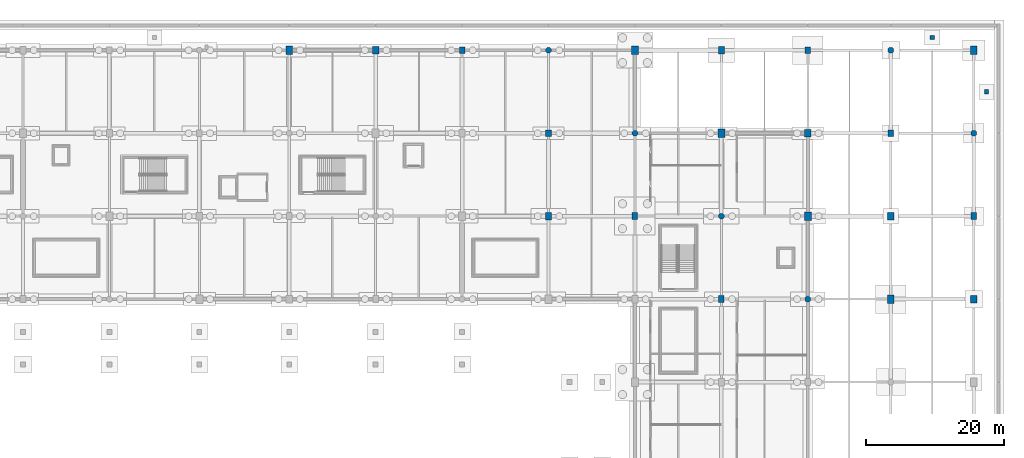
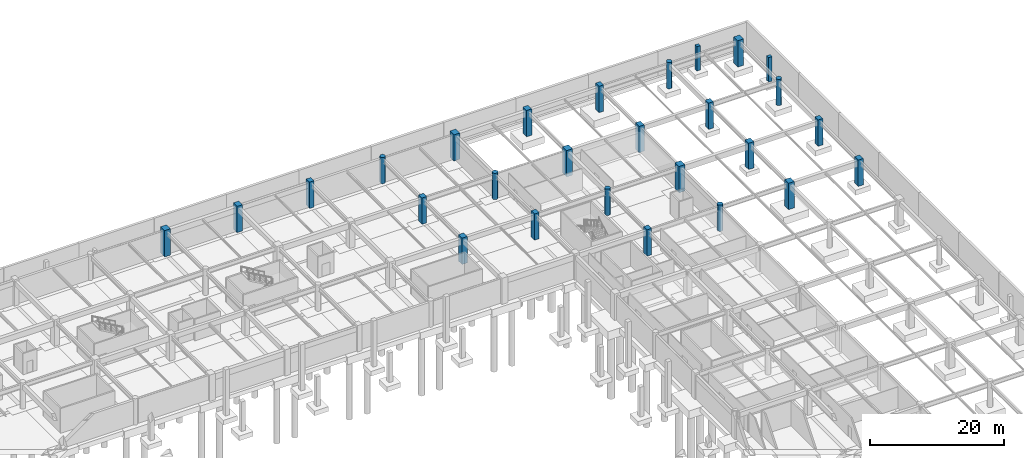
# One storey, part 15 of 56: 27 columns.
"""IFC4 building model written with IfcOpenShell, lengths in metres."""

from ifc_helpers import new_model, si_unit, direction, frame, origin, origin_2d, place, context, subcontext, project, spatial, rectangle, circle, extrude, material, material_profile, profile_set, type_object, element, save


model = new_model("IFC4")

# Units and contexts
model_context = context("Model", 3, precision=1e-05, world=origin(), true_north=direction((0.0, 1.0)))
body_context = subcontext(model_context, "Body", "Model", "MODEL_VIEW")
ifc_project = project(units=[si_unit("LENGTHUNIT", "METRE"), si_unit("AREAUNIT", "SQUARE_METRE"), si_unit("VOLUMEUNIT", "CUBIC_METRE"), si_unit("PLANEANGLEUNIT", "RADIAN"), si_unit("MASSUNIT", "GRAM", prefix="KILO")], contexts=[model_context])

# Site, building, storey
site_placement = place(None, origin())
site = spatial("IfcSite", under=ifc_project, at=site_placement, CompositionType="ELEMENT")
building_placement = place(site_placement, origin())
building = spatial("IfcBuilding", under=site, at=building_placement, Name="Kazenohara Klinker Stadium", CompositionType="ELEMENT")
storey_placement = place(building_placement, frame((0.0, 0.0, -4.800048828125)))
storey = spatial("IfcBuildingStorey", under=building, at=storey_placement, Name="B01", CompositionType="ELEMENT", Elevation=-4.800048828125)

# Columns
ifc_material = material(Name="Concrete C40/50", Category="concrete")
ifc_material_profile_1 = material_profile(ifc_material, rectangle(XDim=1.0, YDim=1.199951171875, at=origin_2d()), Name="RC-COL-1200x1000")
ifc_profile_set_1 = profile_set([ifc_material_profile_1], Name="Concrete C40/50")
column_type_1 = type_object("IfcColumnType", Name="COL-RC01", PredefinedType="COLUMN", material=ifc_profile_set_1)
for number, where, z_axis, x_axis, name in (
    (1, (125.0, 168.0, 0.0), (0.0, 0.0, 1.0), (1.0, 0.0, 0.0), "Column C01 B01 11/Q"),
    (2, (175.0, 168.0, 0.0), (0.0, 0.0, 1.0), (1.0, 0.0, 0.0), "Column C01 B01 15/Q"),
    (3, (187.5, 156.0, 0.0), (0.0, 0.0, 1.0), (1.0, 0.0, 0.0), "Column C01 B01 16/P"),
    (4, (200.0, 144.0, 0.0), (0.0, 0.0, 1.0), (1.0, 0.0, 0.0), "Column C01 B01 17/N"),
    (5, (212.0, 132.0, 0.0), (0.0, 0.0, 1.0), (1.0, 0.0, 0.0), "Column C01 B01 18/M"),
    (6, (224.0, 168.0, 0.0), (0.0, 0.0, 1.0), (1.0, 0.0, 0.0), "Column C01 B01 19/Q"),
):
    element("IfcColumn", number, at=place(storey_placement, frame(where, z_axis=z_axis, x_axis=x_axis)), inside=storey, type_object=column_type_1, Name=name, PredefinedType="COLUMN", context=body_context, shape_type="SweptSolid", body=[
        extrude(rectangle(XDim=1.0, YDim=1.199951171875, at=origin_2d()), origin(), (0.0, 0.0, 1.0), 4.800048828125),
    ])
ifc_material_profile_2 = material_profile(ifc_material, rectangle(XDim=0.89990234375, YDim=1.10009765625, at=origin_2d()), Name="RC-COL-1100x900")
ifc_profile_set_2 = profile_set([ifc_material_profile_2], Name="Concrete C40/50")
column_type_2 = type_object("IfcColumnType", Name="COL-RC02", PredefinedType="COLUMN", material=ifc_profile_set_2)
for number, where, z_axis, x_axis, name in (
    (7, (137.5, 168.0, 0.0), (0.0, 0.0, 1.0), (1.0, 0.0, 0.0), "Column C02 B01 12/Q"),
    (8, (162.5, 144.0, 0.0), (0.0, 0.0, 1.0), (1.0, 0.0, 0.0), "Column C02 B01 14/N"),
    (9, (187.5, 168.0, 0.0), (0.0, 0.0, 1.0), (1.0, 0.0, 0.0), "Column C02 B01 16/Q"),
    (10, (200.0, 156.0, 0.0), (0.0, 0.0, 1.0), (1.0, 0.0, 0.0), "Column C02 B01 17/P"),
    (11, (212.0, 144.0, 0.0), (0.0, 0.0, 1.0), (1.0, 0.0, 0.0), "Column C02 B01 18/N"),
    (12, (224.0, 132.0, 0.0), (0.0, 0.0, 1.0), (1.0, 0.0, 0.0), "Column C02 B01 19/M"),
):
    element("IfcColumn", number, at=place(storey_placement, frame(where, z_axis=z_axis, x_axis=x_axis)), inside=storey, type_object=column_type_2, Name=name, PredefinedType="COLUMN", context=body_context, shape_type="SweptSolid", body=[
        extrude(rectangle(XDim=0.89990234375, YDim=1.10009765625, at=origin_2d()), origin(), (0.0, 0.0, 1.0), 4.800048828125),
    ])
ifc_material_profile_3 = material_profile(ifc_material, rectangle(XDim=0.800048828125, YDim=1.0, at=origin_2d()), Name="RC-COL-1000x800")
ifc_profile_set_3 = profile_set([ifc_material_profile_3], Name="Concrete C40/50")
column_type_3 = type_object("IfcColumnType", Name="COL-RC03", PredefinedType="COLUMN", material=ifc_profile_set_3)
for number, where, z_axis, x_axis, name in (
    (13, (150.0, 168.0, 0.0), (0.0, 0.0, 1.0), (1.0, 0.0, 0.0), "Column C03 B01 13/Q"),
    (14, (162.5, 156.0, 0.0), (0.0, 0.0, 1.0), (1.0, 0.0, 0.0), "Column C03 B01 14/P"),
    (15, (175.0, 144.0, 0.0), (0.0, 0.0, 1.0), (1.0, 0.0, 0.0), "Column C03 B01 15/N"),
    (16, (187.5, 132.0, 0.0), (0.0, 0.0, 1.0), (1.0, 0.0, 0.0), "Column C03 B01 16/M"),
    (17, (200.0, 168.0, 0.0), (0.0, 0.0, 1.0), (1.0, 0.0, 0.0), "Column C03 B01 17/Q"),
    (18, (212.0, 156.0, 0.0), (0.0, 0.0, 1.0), (1.0, 0.0, 0.0), "Column C03 B01 18/P"),
    (19, (224.0, 144.0, 0.0), (0.0, 0.0, 1.0), (1.0, 0.0, 0.0), "Column C03 B01 19/N"),
):
    element("IfcColumn", number, at=place(storey_placement, frame(where, z_axis=z_axis, x_axis=x_axis)), inside=storey, type_object=column_type_3, Name=name, PredefinedType="COLUMN", context=body_context, shape_type="SweptSolid", body=[
        extrude(rectangle(XDim=0.800048828125, YDim=1.0, at=origin_2d()), origin(), (0.0, 0.0, 1.0), 4.800048828125),
    ])
ifc_material_profile_4 = material_profile(ifc_material, rectangle(XDim=0.60009765625, YDim=0.60009765625, at=origin_2d()), Name="RC-COL-600x600")
ifc_profile_set_4 = profile_set([ifc_material_profile_4], Name="Concrete C40/50")
column_type_4 = type_object("IfcColumnType", Name="COL-RC07", PredefinedType="COLUMN", material=ifc_profile_set_4)
for number, where, z_axis, x_axis, name in (
    (20, (225.85009765625, 162.0, 0.0), (0.0, 0.0, 1.0), (1.0, 0.0, 0.0), "Exterior plinth support pier C07 PLAZA-EAST-3"),
    (21, (218.0, 169.85009765625, 0.0), (0.0, 0.0, 1.0), (1.0, 0.0, 0.0), "Exterior plinth support pier C07 PLAZA-NORTH-3"),
):
    element("IfcColumn", number, at=place(storey_placement, frame(where, z_axis=z_axis, x_axis=x_axis)), inside=storey, type_object=column_type_4, Name=name, PredefinedType="COLUMN", context=body_context, shape_type="SweptSolid", body=[
        extrude(rectangle(XDim=0.60009765625, YDim=0.60009765625, at=origin_2d()), origin(), (0.0, 0.0, 1.0), 4.4599609375),
    ])
ifc_material_profile_5 = material_profile(ifc_material, circle(Radius=0.425048828125, at=origin_2d()), Name="RC-COL-D850")
ifc_profile_set_5 = profile_set([ifc_material_profile_5], Name="Concrete C40/50")
column_type_5 = type_object("IfcColumnType", Name="COL-RC08", PredefinedType="COLUMN", material=ifc_profile_set_5)
for number, where, z_axis, x_axis, name in (
    (22, (162.5, 168.0, 0.0), (0.0, 0.0, 1.0), (1.0, 0.0, 0.0), "Column C08 B01 14/Q"),
    (23, (175.0, 156.0, 0.0), (0.0, 0.0, 1.0), (1.0, 0.0, 0.0), "Column C08 B01 15/P"),
    (24, (187.5, 144.0, 0.0), (0.0, 0.0, 1.0), (1.0, 0.0, 0.0), "Column C08 B01 16/N"),
    (25, (200.0, 132.0, 0.0), (0.0, 0.0, 1.0), (1.0, 0.0, 0.0), "Column C08 B01 17/M"),
    (26, (212.0, 168.0, 0.0), (0.0, 0.0, 1.0), (1.0, 0.0, 0.0), "Column C08 B01 18/Q"),
    (27, (224.0, 156.0, 0.0), (0.0, 0.0, 1.0), (1.0, 0.0, 0.0), "Column C08 B01 19/P"),
):
    element("IfcColumn", number, at=place(storey_placement, frame(where, z_axis=z_axis, x_axis=x_axis)), inside=storey, type_object=column_type_5, Name=name, PredefinedType="COLUMN", context=body_context, shape_type="SweptSolid", body=[
        extrude(circle(Radius=0.425048828125, at=origin_2d()), origin(), (0.0, 0.0, 1.0), 4.800048828125),
    ])

save(model, "model.ifc")
